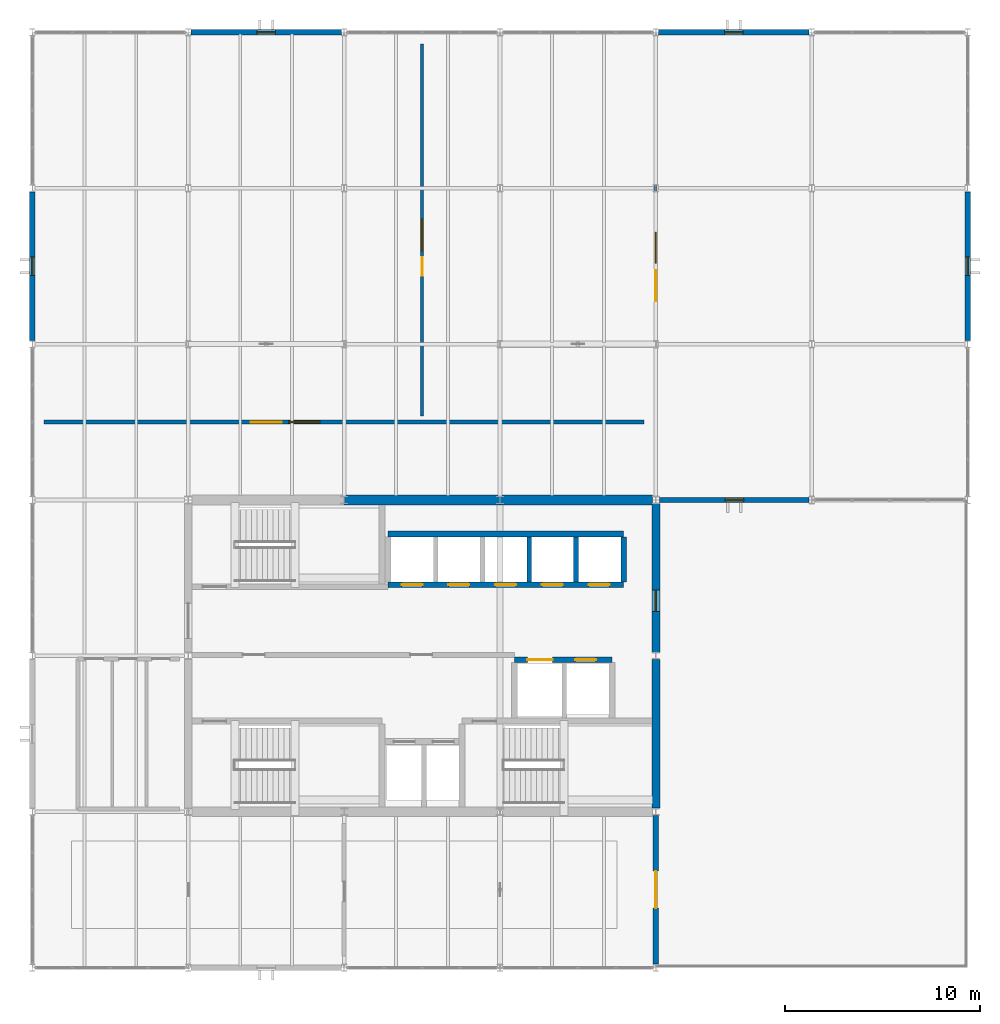
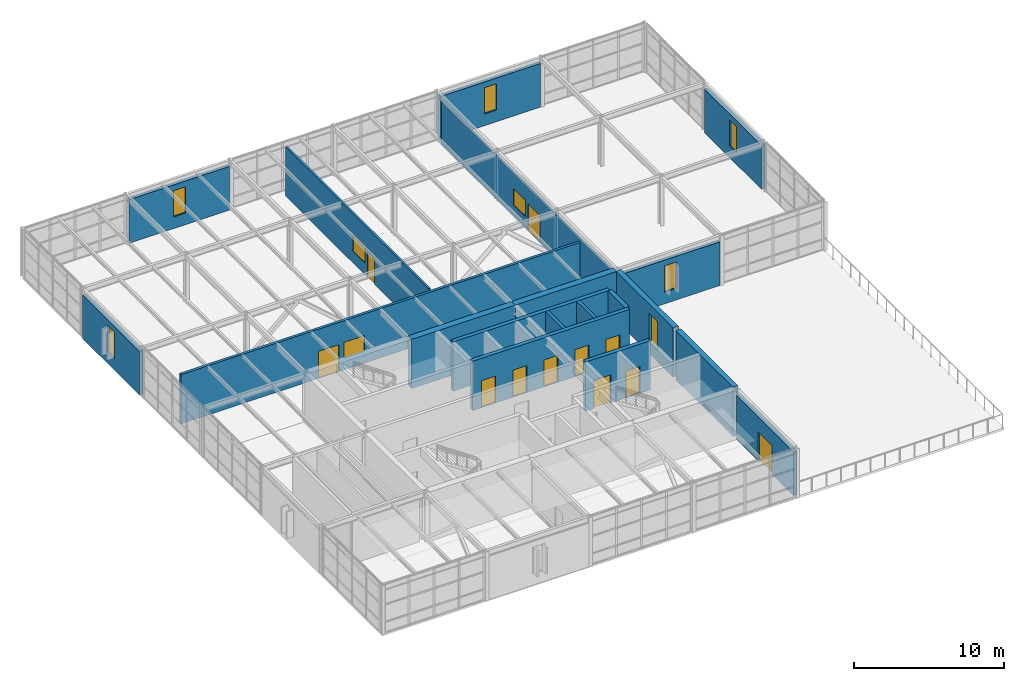
# One storey, part 18 of 21: 19 walls, 11 doors, 9 windows, 20 openings.
"""IFC4 building model written with IfcOpenShell, lengths in metres."""

from ifc_helpers import new_model, si_unit, direction, frame, frame_2d, origin, place, context, subcontext, project, spatial, rectangle, extrude, material, layer, layer_set, type_object, element, fill, save


model = new_model("IFC4")

# Units and contexts
model_context = context("Model", 3, precision=1e-05, world=origin(), true_north=direction((0.0, 1.0)))
body_context = subcontext(model_context, "Body", "Model", "MODEL_VIEW")
ifc_project = project(units=[si_unit("LENGTHUNIT", "METRE"), si_unit("AREAUNIT", "SQUARE_METRE"), si_unit("VOLUMEUNIT", "CUBIC_METRE"), si_unit("PLANEANGLEUNIT", "RADIAN"), si_unit("MASSUNIT", "GRAM", prefix="KILO")], contexts=[model_context])

# Site, building, storey
site_placement = place(None, origin())
site = spatial("IfcSite", under=ifc_project, at=site_placement, CompositionType="ELEMENT")
building_placement = place(site_placement, origin())
building = spatial("IfcBuilding", under=site, at=building_placement, Name="Varnela Railside Interchange", CompositionType="ELEMENT")
storey_placement = place(building_placement, frame((0.0, 0.0, 23.800048828125)))
storey = spatial("IfcBuildingStorey", under=building, at=storey_placement, Name="L05", CompositionType="ELEMENT", Elevation=23.800048828125)

# Wall, openings, door, window
ifc_material_1 = material(Name="Gypsum acoustic board")
ifc_layer_1 = layer(ifc_material_1, 0.14990234375)
ifc_layer_set_1 = layer_set([ifc_layer_1], Name="Gypsum acoustic board")
wall_type_1 = type_object("IfcWallType", Name="Acoustic Drywall Partition IW-01", PredefinedType="PARTITIONING", material=ifc_layer_set_1)
wall_1_placement = place(storey_placement, frame((24.0, 74.300048828125, 0.0), z_axis=(0.0, 0.0, 1.0), x_axis=(0.0, 1.0, 0.0)))
wall_1 = element("IfcWall", 1, at=wall_1_placement, inside=storey, type_object=wall_type_1, Name="Acoustic Drywall Partition IW-01 (L05) (WL-0969)", PredefinedType="PARTITIONING", context=body_context, shape_type="SweptSolid", body=[
    extrude(rectangle(XDim=19.099853515625, YDim=0.14990234375, at=frame_2d((9.5498046875, 0.0))), origin(), (0.0, 0.0, 1.0), 4.02001953125),
])
opening_1_placement = place(wall_1_placement, frame((7.199951171875, 0.0, 0.0)))
opening_1 = element("IfcOpeningElement", 2, at=opening_1_placement, cuts=wall_1, Name="Opening D-289", PredefinedType="OPENING", context=body_context, shape_type="SweptSolid", body=[
    extrude(rectangle(XDim=0.949951171875, YDim=2.10009765625, at=frame_2d((0.47509765625, 1.050048828125))), frame((0.0, 0.0849609375, 0.0), z_axis=(0.0, -1.0, 0.0), x_axis=(1.0, 0.0, 0.0)), (0.0, 0.0, 1.0), 0.169921875),
])
opening_2_placement = place(wall_1_placement, frame((8.5, 0.0, 0.949951171875)))
opening_2 = element("IfcOpeningElement", 3, at=opening_2_placement, cuts=wall_1, Name="Opening IW-022", PredefinedType="OPENING", context=body_context, shape_type="SweptSolid", body=[
    extrude(rectangle(XDim=1.60009765625, YDim=1.300048828125, at=frame_2d((0.800048828125, 0.64990234375))), frame((0.0, 0.0849609375, 0.0), z_axis=(0.0, -1.0, 0.0), x_axis=(1.0, 0.0, 0.0)), (0.0, 0.0, 1.0), 0.169921875),
])
ifc_material_2 = material(Name="Timber solid core", Category="wood")
door_type_1 = type_object("IfcDoorType", Name="DR-SGL-950-ACC", OperationType="NOTDEFINED", PredefinedType="DOOR", material=ifc_material_2)
door_1_placement = place(opening_1_placement, origin())
door_1 = element("IfcDoor", 4, at=door_1_placement, inside=storey, type_object=door_type_1, Name="Door D-289", OperationType="SINGLE_SWING_LEFT", OverallHeight=2.10009765625, OverallWidth=0.949951171875, PredefinedType="DOOR", context=body_context, shape_type="SweptSolid", body=[
    extrude(rectangle(XDim=0.949951171875, YDim=2.10009765625, at=frame_2d((0.47509765625, 1.050048828125))), frame((0.0, 0.02490234375, 0.0), z_axis=(0.0, -1.0, 0.0), x_axis=(1.0, 0.0, 0.0)), (0.0, 0.0, 1.0), 0.050048828125),
])
fill(opening_1, door_1)
ifc_material_3 = material(Name="Glass laminated double", Category="glass")
window_type_1 = type_object("IfcWindowType", Name="Interior Acoustic Vision Window IW-WN1", PartitioningType="SINGLE_PANEL", PredefinedType="WINDOW", material=ifc_material_3)
window_1_placement = place(opening_2_placement, origin())
window_1 = element("IfcWindow", 5, at=window_1_placement, inside=storey, type_object=window_type_1, Name="Window IW-022", OverallHeight=1.300048828125, OverallWidth=1.60009765625, PartitioningType="SINGLE_PANEL", PredefinedType="WINDOW", context=body_context, shape_type="SweptSolid", body=[
    extrude(rectangle(XDim=1.60009765625, YDim=1.300048828125, at=frame_2d((0.800048828125, 0.64990234375))), frame((0.0, 0.030029296875, 0.0), z_axis=(0.0, -1.0, 0.0), x_axis=(1.0, 0.0, 0.0)), (0.0, 0.0, 1.0), 0.06005859375),
])
fill(opening_2, window_1)

# Wall
ifc_material_4 = material(Name="Concrete C50", Category="concrete")
ifc_layer_2 = layer(ifc_material_4, 0.39990234375)
ifc_layer_set_2 = layer_set([ifc_layer_2], Name="Concrete C50")
wall_type_2 = type_object("IfcWallType", Name="Core Coupling Shear Wall SW-02", PredefinedType="SHEAR", material=ifc_layer_set_2)
wall_2_placement = place(storey_placement, frame((36.0, 54.179931640625, 0.0), z_axis=(0.0, 0.0, 1.0), x_axis=(0.0, 1.0, 0.0)))
element("IfcWall", 6, at=wall_2_placement, inside=storey, type_object=wall_type_2, Name="Core Coupling Shear Wall SW-02 (L05) (WL-0929)", PredefinedType="SHEAR", context=body_context, shape_type="SweptSolid", body=[
    extrude(rectangle(XDim=7.64013671875, YDim=0.39990234375, at=frame_2d((3.820068359375, 0.0))), origin(), (0.0, 0.0, 1.0), 4.02001953125),
])

# Wall, opening, window
wall_3_placement = place(storey_placement, frame((36.0, 62.179931640625, 0.0), z_axis=(0.0, 0.0, 1.0), x_axis=(0.0, 1.0, 0.0)))
wall_3 = element("IfcWall", 7, at=wall_3_placement, inside=storey, type_object=wall_type_2, Name="Core Coupling Shear Wall SW-02 (L05) (WL-0930)", PredefinedType="SHEAR", context=body_context, shape_type="SweptSolid", body=[
    extrude(rectangle(XDim=7.64013671875, YDim=0.39990234375, at=frame_2d((3.820068359375, 0.0))), origin(), (0.0, 0.0, 1.0), 4.02001953125),
])
opening_3_placement = place(wall_3_placement, frame((2.10009765625, 0.0, 0.949951171875)))
opening_3 = element("IfcOpeningElement", 8, at=opening_3_placement, cuts=wall_3, Name="Opening W-134", PredefinedType="OPENING", context=body_context, shape_type="SweptSolid", body=[
    extrude(rectangle(XDim=1.10009765625, YDim=2.300048828125, at=frame_2d((0.550048828125, 1.14990234375))), frame((0.0, 0.2099609375, 0.0), z_axis=(0.0, -1.0, 0.0), x_axis=(1.0, 0.0, 0.0)), (0.0, 0.0, 1.0), 0.419921875),
])
window_type_2 = type_object("IfcWindowType", Name="Core Stair Daylight Slot WN-25", PartitioningType="SINGLE_PANEL", PredefinedType="WINDOW", material=ifc_material_3)
window_2_placement = place(opening_3_placement, origin())
window_2 = element("IfcWindow", 9, at=window_2_placement, inside=storey, type_object=window_type_2, Name="Window W-134", OverallHeight=2.300048828125, OverallWidth=1.10009765625, PartitioningType="SINGLE_PANEL", PredefinedType="WINDOW", context=body_context, shape_type="SweptSolid", body=[
    extrude(rectangle(XDim=1.10009765625, YDim=2.300048828125, at=frame_2d((0.550048828125, 1.14990234375))), frame((0.0, 0.030029296875, 0.0), z_axis=(0.0, -1.0, 0.0), x_axis=(1.0, 0.0, 0.0)), (0.0, 0.0, 1.0), 0.06005859375),
])
fill(opening_3, window_2)

# Walls
ifc_layer_3 = layer(ifc_material_4, 0.5)
ifc_layer_set_3 = layer_set([ifc_layer_3], Name="Concrete C50")
wall_type_3 = type_object("IfcWallType", Name="Core Primary Shear Wall SW-01", PredefinedType="SHEAR", material=ifc_layer_set_3)
wall_4_placement = place(storey_placement, frame((20.0, 70.0, 0.0), z_axis=(0.0, 0.0, 1.0), x_axis=(1.0, 0.0, 0.0)))
element("IfcWall", 10, at=wall_4_placement, inside=storey, type_object=wall_type_3, Name="Core Primary Shear Wall SW-01 (L05) (WL-0947)", PredefinedType="SHEAR", context=body_context, shape_type="SweptSolid", body=[
    extrude(rectangle(XDim=8.0, YDim=0.5, at=frame_2d((4.0, 0.0))), origin(), (0.0, 0.0, 1.0), 4.02001953125),
])
wall_5_placement = place(storey_placement, frame((28.0, 70.0, 0.0), z_axis=(0.0, 0.0, 1.0), x_axis=(1.0, 0.0, 0.0)))
element("IfcWall", 11, at=wall_5_placement, inside=storey, type_object=wall_type_3, Name="Core Primary Shear Wall SW-01 (L05) (WL-0948)", PredefinedType="SHEAR", context=body_context, shape_type="SweptSolid", body=[
    extrude(rectangle(XDim=7.81494140625, YDim=0.5, at=frame_2d((3.907470703125, 0.0))), origin(), (0.0, 0.0, 1.0), 4.02001953125),
])

# Wall, openings, door, window
ifc_layer_4 = layer(ifc_material_1, 0.179931640625)
ifc_layer_set_4 = layer_set([ifc_layer_4], Name="Gypsum acoustic board")
wall_type_4 = type_object("IfcWallType", Name="Double-Stud Corridor Wall IW-02", PredefinedType="PARTITIONING", material=ifc_layer_set_4)
wall_6_placement = place(storey_placement, frame((4.60009765625, 74.0, 0.0), z_axis=(0.0, 0.0, 1.0), x_axis=(1.0, 0.0, 0.0)))
wall_6 = element("IfcWall", 12, at=wall_6_placement, inside=storey, type_object=wall_type_4, Name="Double-Stud Corridor Wall IW-02 (L05) (WL-0971)", PredefinedType="PARTITIONING", context=body_context, shape_type="SweptSolid", body=[
    extrude(rectangle(XDim=30.7998046875, YDim=0.199951171875, at=frame_2d((15.39990234375, 0.0))), origin(), (0.0, 0.0, 1.0), 4.02001953125),
])
opening_4_placement = place(wall_6_placement, frame((10.60009765625, 0.0, 0.0)))
opening_4 = element("IfcOpeningElement", 13, at=opening_4_placement, cuts=wall_6, Name="Opening D-288", PredefinedType="OPENING", context=body_context, shape_type="SweptSolid", body=[
    extrude(rectangle(XDim=1.60009765625, YDim=2.199951171875, at=frame_2d((0.800048828125, 1.10009765625))), frame((0.0, 0.10986328125, 0.0), z_axis=(0.0, -1.0, 0.0), x_axis=(1.0, 0.0, 0.0)), (0.0, 0.0, 1.0), 0.219970703125),
])
opening_5_placement = place(wall_6_placement, frame((12.550048828125, 0.0, 0.949951171875)))
opening_5 = element("IfcOpeningElement", 14, at=opening_5_placement, cuts=wall_6, Name="Opening IW-021", PredefinedType="OPENING", context=body_context, shape_type="SweptSolid", body=[
    extrude(rectangle(XDim=1.60009765625, YDim=1.300048828125, at=frame_2d((0.800048828125, 0.64990234375))), frame((0.0, 0.10986328125, 0.0), z_axis=(0.0, -1.0, 0.0), x_axis=(1.0, 0.0, 0.0)), (0.0, 0.0, 1.0), 0.219970703125),
])
door_type_2 = type_object("IfcDoorType", Name="DR-DBL-1600", OperationType="DOUBLE_DOOR_SINGLE_SWING", PredefinedType="DOOR", material=ifc_material_3)
door_2_placement = place(opening_4_placement, origin())
door_2 = element("IfcDoor", 15, at=door_2_placement, inside=storey, type_object=door_type_2, Name="Door D-288", OperationType="DOUBLE_DOOR_SINGLE_SWING", OverallHeight=2.199951171875, OverallWidth=1.60009765625, PredefinedType="DOOR", context=body_context, shape_type="SweptSolid", body=[
    extrude(rectangle(XDim=1.60009765625, YDim=2.199951171875, at=frame_2d((0.800048828125, 1.10009765625))), frame((0.0, 0.02490234375, 0.0), z_axis=(0.0, -1.0, 0.0), x_axis=(1.0, 0.0, 0.0)), (0.0, 0.0, 1.0), 0.050048828125),
])
fill(opening_4, door_2)
window_3_placement = place(opening_5_placement, origin())
window_3 = element("IfcWindow", 16, at=window_3_placement, inside=storey, type_object=window_type_1, Name="Window IW-021", OverallHeight=1.300048828125, OverallWidth=1.60009765625, PartitioningType="SINGLE_PANEL", PredefinedType="WINDOW", context=body_context, shape_type="SweptSolid", body=[
    extrude(rectangle(XDim=1.60009765625, YDim=1.300048828125, at=frame_2d((0.800048828125, 0.64990234375))), frame((0.0, 0.030029296875, 0.0), z_axis=(0.0, -1.0, 0.0), x_axis=(1.0, 0.0, 0.0)), (0.0, 0.0, 1.0), 0.06005859375),
])
fill(opening_5, window_3)

ifc_layer_5 = layer(ifc_material_3, 0.1201171875)
ifc_layer_set_5 = layer_set([ifc_layer_5], Name="Glass laminated double")
wall_type_5 = type_object("IfcWallType", Name="Glazed Operations Partition IW-03", PredefinedType="PARTITIONING", material=ifc_layer_set_5)
wall_7_placement = place(storey_placement, frame((36.0, 70.60009765625, 0.0), z_axis=(0.0, 0.0, 1.0), x_axis=(0.0, 1.0, 0.0)))
wall_7 = element("IfcWall", 17, at=wall_7_placement, inside=storey, type_object=wall_type_5, Name="Glazed Operations Partition IW-03 (L05) (WL-0968)", PredefinedType="PARTITIONING", context=body_context, shape_type="SweptSolid", body=[
    extrude(rectangle(XDim=22.7998046875, YDim=0.1201171875, at=frame_2d((11.39990234375, 0.0))), origin(), (0.0, 0.0, 1.0), 3.56005859375),
])
opening_6_placement = place(wall_7_placement, frame((9.60009765625, 0.0, 0.0)))
opening_6 = element("IfcOpeningElement", 18, at=opening_6_placement, cuts=wall_7, Name="Opening D-290", PredefinedType="OPENING", context=body_context, shape_type="SweptSolid", body=[
    extrude(rectangle(XDim=1.60009765625, YDim=2.199951171875, at=frame_2d((0.800048828125, 1.10009765625))), frame((0.0, 0.070068359375, 0.0), z_axis=(0.0, -1.0, 0.0), x_axis=(1.0, 0.0, 0.0)), (0.0, 0.0, 1.0), 0.14013671875),
])
opening_7_placement = place(wall_7_placement, frame((11.550048828125, 0.0, 0.949951171875)))
opening_7 = element("IfcOpeningElement", 19, at=opening_7_placement, cuts=wall_7, Name="Opening IW-023", PredefinedType="OPENING", context=body_context, shape_type="SweptSolid", body=[
    extrude(rectangle(XDim=1.60009765625, YDim=1.300048828125, at=frame_2d((0.800048828125, 0.64990234375))), frame((0.0, 0.070068359375, 0.0), z_axis=(0.0, -1.0, 0.0), x_axis=(1.0, 0.0, 0.0)), (0.0, 0.0, 1.0), 0.14013671875),
])
door_3_placement = place(opening_6_placement, origin())
door_3 = element("IfcDoor", 20, at=door_3_placement, inside=storey, type_object=door_type_2, Name="Door D-290", OperationType="DOUBLE_DOOR_SINGLE_SWING", OverallHeight=2.199951171875, OverallWidth=1.60009765625, PredefinedType="DOOR", context=body_context, shape_type="SweptSolid", body=[
    extrude(rectangle(XDim=1.60009765625, YDim=2.199951171875, at=frame_2d((0.800048828125, 1.10009765625))), frame((0.0, 0.02490234375, 0.0), z_axis=(0.0, -1.0, 0.0), x_axis=(1.0, 0.0, 0.0)), (0.0, 0.0, 1.0), 0.050048828125),
])
fill(opening_6, door_3)
window_4_placement = place(opening_7_placement, origin())
window_4 = element("IfcWindow", 21, at=window_4_placement, inside=storey, type_object=window_type_1, Name="Window IW-023", OverallHeight=1.300048828125, OverallWidth=1.60009765625, PartitioningType="SINGLE_PANEL", PredefinedType="WINDOW", context=body_context, shape_type="SweptSolid", body=[
    extrude(rectangle(XDim=1.60009765625, YDim=1.300048828125, at=frame_2d((0.800048828125, 0.64990234375))), frame((0.0, 0.030029296875, 0.0), z_axis=(0.0, -1.0, 0.0), x_axis=(1.0, 0.0, 0.0)), (0.0, 0.0, 1.0), 0.06005859375),
])
fill(opening_7, window_4)

# Wall, opening, window
ifc_material_5 = material(Name="Concrete C40 precast", Category="concrete")
ifc_layer_6 = layer(ifc_material_5, 0.280029296875)
ifc_layer_set_6 = layer_set([ifc_layer_6], Name="Concrete C40 precast")
wall_type_6 = type_object("IfcWallType", Name="Ribbed Precast Concrete Facade Wall EW-02", PredefinedType="STANDARD", material=ifc_layer_set_6)
wall_8_placement = place(storey_placement, frame((4.0, 78.181396484375, 0.0), z_axis=(0.0, 0.0, 1.0), x_axis=(0.0, 1.0, 0.0)))
wall_8 = element("IfcWall", 22, at=wall_8_placement, inside=storey, type_object=wall_type_6, Name="Ribbed Precast Concrete Facade Wall EW-02 (L05) (WL-0967)", PredefinedType="STANDARD", context=body_context, shape_type="SweptSolid", body=[
    extrude(rectangle(XDim=7.63720703125, YDim=0.280029296875, at=frame_2d((3.818603515625, 0.0))), origin(), (0.0, 0.0, 1.0), 3.56005859375),
])
opening_8_placement = place(wall_8_placement, frame((3.343505859375, 0.0, 0.949951171875)))
opening_8 = element("IfcOpeningElement", 23, at=opening_8_placement, cuts=wall_8, Name="Opening W-137", PredefinedType="OPENING", context=body_context, shape_type="SweptSolid", body=[
    extrude(rectangle(XDim=0.949951171875, YDim=2.14990234375, at=frame_2d((0.47509765625, 1.074951171875))), frame((0.0, 0.14990234375, 0.0), z_axis=(0.0, -1.0, 0.0), x_axis=(1.0, 0.0, 0.0)), (0.0, 0.0, 1.0), 0.300048828125),
])
window_type_3 = type_object("IfcWindowType", Name="Signalling Narrow Slot WN-13", PartitioningType="SINGLE_PANEL", PredefinedType="WINDOW", material=ifc_material_3)
window_5_placement = place(opening_8_placement, origin())
window_5 = element("IfcWindow", 24, at=window_5_placement, inside=storey, type_object=window_type_3, Name="Window W-137", OverallHeight=2.14990234375, OverallWidth=0.949951171875, PartitioningType="SINGLE_PANEL", PredefinedType="WINDOW", context=body_context, shape_type="SweptSolid", body=[
    extrude(rectangle(XDim=0.949951171875, YDim=2.14990234375, at=frame_2d((0.47509765625, 1.074951171875))), frame((0.0, 0.030029296875, 0.0), z_axis=(0.0, -1.0, 0.0), x_axis=(1.0, 0.0, 0.0)), (0.0, 0.0, 1.0), 0.06005859375),
])
fill(opening_8, window_5)

wall_9_placement = place(storey_placement, frame((12.12841796875, 94.0, 0.0), z_axis=(0.0, 0.0, 1.0), x_axis=(1.0, 0.0, 0.0)))
wall_9 = element("IfcWall", 25, at=wall_9_placement, inside=storey, type_object=wall_type_6, Name="Ribbed Precast Concrete Facade Wall EW-02 (L05) (WL-0960)", PredefinedType="STANDARD", context=body_context, shape_type="SweptSolid", body=[
    extrude(rectangle(XDim=7.7431640625, YDim=0.280029296875, at=frame_2d((3.87158203125, 0.0))), origin(), (0.0, 0.0, 1.0), 3.56005859375),
])
opening_9_placement = place(wall_9_placement, frame((3.396484375, 0.0, 0.949951171875)))
opening_9 = element("IfcOpeningElement", 26, at=opening_9_placement, cuts=wall_9, Name="Opening W-138", PredefinedType="OPENING", context=body_context, shape_type="SweptSolid", body=[
    extrude(rectangle(XDim=0.949951171875, YDim=2.14990234375, at=frame_2d((0.47509765625, 1.074951171875))), frame((0.0, 0.14990234375, 0.0), z_axis=(0.0, -1.0, 0.0), x_axis=(1.0, 0.0, 0.0)), (0.0, 0.0, 1.0), 0.300048828125),
])
window_6_placement = place(opening_9_placement, origin())
window_6 = element("IfcWindow", 27, at=window_6_placement, inside=storey, type_object=window_type_3, Name="Window W-138", OverallHeight=2.14990234375, OverallWidth=0.949951171875, PartitioningType="SINGLE_PANEL", PredefinedType="WINDOW", context=body_context, shape_type="SweptSolid", body=[
    extrude(rectangle(XDim=0.949951171875, YDim=2.14990234375, at=frame_2d((0.47509765625, 1.074951171875))), frame((0.0, 0.030029296875, 0.0), z_axis=(0.0, -1.0, 0.0), x_axis=(1.0, 0.0, 0.0)), (0.0, 0.0, 1.0), 0.06005859375),
])
fill(opening_9, window_6)

wall_10_placement = place(storey_placement, frame((36.12841796875, 94.0, 0.0), z_axis=(0.0, 0.0, 1.0), x_axis=(1.0, 0.0, 0.0)))
wall_10 = element("IfcWall", 28, at=wall_10_placement, inside=storey, type_object=wall_type_6, Name="Ribbed Precast Concrete Facade Wall EW-02 (L05) (WL-0961)", PredefinedType="STANDARD", context=body_context, shape_type="SweptSolid", body=[
    extrude(rectangle(XDim=7.7431640625, YDim=0.280029296875, at=frame_2d((3.87158203125, 0.0))), origin(), (0.0, 0.0, 1.0), 3.56005859375),
])
opening_10_placement = place(wall_10_placement, frame((3.396484375, 0.0, 0.949951171875)))
opening_10 = element("IfcOpeningElement", 29, at=opening_10_placement, cuts=wall_10, Name="Opening W-139", PredefinedType="OPENING", context=body_context, shape_type="SweptSolid", body=[
    extrude(rectangle(XDim=0.949951171875, YDim=2.14990234375, at=frame_2d((0.47509765625, 1.074951171875))), frame((0.0, 0.14990234375, 0.0), z_axis=(0.0, -1.0, 0.0), x_axis=(1.0, 0.0, 0.0)), (0.0, 0.0, 1.0), 0.300048828125),
])
window_7_placement = place(opening_10_placement, origin())
window_7 = element("IfcWindow", 30, at=window_7_placement, inside=storey, type_object=window_type_3, Name="Window W-139", OverallHeight=2.14990234375, OverallWidth=0.949951171875, PartitioningType="SINGLE_PANEL", PredefinedType="WINDOW", context=body_context, shape_type="SweptSolid", body=[
    extrude(rectangle(XDim=0.949951171875, YDim=2.14990234375, at=frame_2d((0.47509765625, 1.074951171875))), frame((0.0, 0.030029296875, 0.0), z_axis=(0.0, -1.0, 0.0), x_axis=(1.0, 0.0, 0.0)), (0.0, 0.0, 1.0), 0.06005859375),
])
fill(opening_10, window_7)

wall_11_placement = place(storey_placement, frame((52.0, 85.818603515625, 0.0), z_axis=(0.0, 0.0, 1.0), x_axis=(0.0, -1.0, 0.0)))
wall_11 = element("IfcWall", 31, at=wall_11_placement, inside=storey, type_object=wall_type_6, Name="Ribbed Precast Concrete Facade Wall EW-02 (L05) (WL-0962)", PredefinedType="STANDARD", context=body_context, shape_type="SweptSolid", body=[
    extrude(rectangle(XDim=7.63720703125, YDim=0.280029296875, at=frame_2d((3.818603515625, 0.0))), origin(), (0.0, 0.0, 1.0), 3.56005859375),
])
opening_11_placement = place(wall_11_placement, frame((3.343505859375, 0.0, 0.949951171875)))
opening_11 = element("IfcOpeningElement", 32, at=opening_11_placement, cuts=wall_11, Name="Opening W-140", PredefinedType="OPENING", context=body_context, shape_type="SweptSolid", body=[
    extrude(rectangle(XDim=0.949951171875, YDim=2.14990234375, at=frame_2d((0.47509765625, 1.074951171875))), frame((0.0, 0.14990234375, 0.0), z_axis=(0.0, -1.0, 0.0), x_axis=(1.0, 0.0, 0.0)), (0.0, 0.0, 1.0), 0.300048828125),
])
window_8_placement = place(opening_11_placement, origin())
window_8 = element("IfcWindow", 33, at=window_8_placement, inside=storey, type_object=window_type_3, Name="Window W-140", OverallHeight=2.14990234375, OverallWidth=0.949951171875, PartitioningType="SINGLE_PANEL", PredefinedType="WINDOW", context=body_context, shape_type="SweptSolid", body=[
    extrude(rectangle(XDim=0.949951171875, YDim=2.14990234375, at=frame_2d((0.47509765625, 1.074951171875))), frame((0.0, 0.030029296875, 0.0), z_axis=(0.0, -1.0, 0.0), x_axis=(1.0, 0.0, 0.0)), (0.0, 0.0, 1.0), 0.06005859375),
])
fill(opening_11, window_8)

wall_12_placement = place(storey_placement, frame((43.87158203125, 70.0, 0.0), z_axis=(0.0, 0.0, 1.0), x_axis=(-1.0, 0.0, 0.0)))
wall_12 = element("IfcWall", 34, at=wall_12_placement, inside=storey, type_object=wall_type_6, Name="Ribbed Precast Concrete Facade Wall EW-02 (L05) (WL-0963)", PredefinedType="STANDARD", context=body_context, shape_type="SweptSolid", body=[
    extrude(rectangle(XDim=7.6865234375, YDim=0.280029296875, at=frame_2d((3.84326171875, 0.0))), origin(), (0.0, 0.0, 1.0), 3.56005859375),
])
opening_12_placement = place(wall_12_placement, frame((3.3681640625, 0.0, 0.949951171875)))
opening_12 = element("IfcOpeningElement", 35, at=opening_12_placement, cuts=wall_12, Name="Opening W-141", PredefinedType="OPENING", context=body_context, shape_type="SweptSolid", body=[
    extrude(rectangle(XDim=0.949951171875, YDim=2.14990234375, at=frame_2d((0.47509765625, 1.074951171875))), frame((0.0, 0.14990234375, 0.0), z_axis=(0.0, -1.0, 0.0), x_axis=(1.0, 0.0, 0.0)), (0.0, 0.0, 1.0), 0.300048828125),
])
window_9_placement = place(opening_12_placement, origin())
window_9 = element("IfcWindow", 36, at=window_9_placement, inside=storey, type_object=window_type_3, Name="Window W-141", OverallHeight=2.14990234375, OverallWidth=0.949951171875, PartitioningType="SINGLE_PANEL", PredefinedType="WINDOW", context=body_context, shape_type="SweptSolid", body=[
    extrude(rectangle(XDim=0.949951171875, YDim=2.14990234375, at=frame_2d((0.47509765625, 1.074951171875))), frame((0.0, 0.030029296875, 0.0), z_axis=(0.0, -1.0, 0.0), x_axis=(1.0, 0.0, 0.0)), (0.0, 0.0, 1.0), 0.06005859375),
])
fill(opening_12, window_9)

# Wall, opening, door
wall_13_placement = place(storey_placement, frame((36.0, 53.820068359375, 0.0), z_axis=(0.0, 0.0, 1.0), x_axis=(0.0, -1.0, 0.0)))
wall_13 = element("IfcWall", 37, at=wall_13_placement, inside=storey, type_object=wall_type_6, Name="Ribbed Precast Concrete Facade Wall EW-02 (L05) (WL-0964)", PredefinedType="STANDARD", context=body_context, shape_type="SweptSolid", body=[
    extrude(rectangle(XDim=7.638671875, YDim=0.280029296875, at=frame_2d((3.8193359375, 0.0))), origin(), (0.0, 0.0, 1.0), 3.56005859375),
])
opening_13_placement = place(wall_13_placement, frame((2.869384765625, 0.0, 0.0)))
opening_13 = element("IfcOpeningElement", 38, at=opening_13_placement, cuts=wall_13, Name="Opening D-027", PredefinedType="OPENING", context=body_context, shape_type="SweptSolid", body=[
    extrude(rectangle(XDim=1.89990234375, YDim=2.35009765625, at=frame_2d((0.949951171875, 1.175048828125))), frame((0.0, 0.14990234375, 0.0), z_axis=(0.0, -1.0, 0.0), x_axis=(1.0, 0.0, 0.0)), (0.0, 0.0, 1.0), 0.300048828125),
])
ifc_material_6 = material(Name="Aluminium 6063-T6", Category="aluminium")
door_type_3 = type_object("IfcDoorType", Name="Terrace Glazed Double Door TD-01", OperationType="DOUBLE_DOOR_SINGLE_SWING", PredefinedType="DOOR", material=ifc_material_6)
door_4_placement = place(opening_13_placement, origin())
door_4 = element("IfcDoor", 39, at=door_4_placement, inside=storey, type_object=door_type_3, Name="Door D-027", OperationType="DOUBLE_DOOR_SINGLE_SWING", OverallHeight=2.35009765625, OverallWidth=1.89990234375, PredefinedType="DOOR", context=body_context, shape_type="SweptSolid", body=[
    extrude(rectangle(XDim=1.89990234375, YDim=2.35009765625, at=frame_2d((0.949951171875, 1.175048828125))), frame((0.0, 0.02490234375, 0.0), z_axis=(0.0, -1.0, 0.0), x_axis=(1.0, 0.0, 0.0)), (0.0, 0.0, 1.0), 0.050048828125),
])
fill(opening_13, door_4)

# Wall, openings, doors
ifc_layer_7 = layer(ifc_material_4, 0.300048828125)
ifc_layer_set_7 = layer_set([ifc_layer_7], Name="Concrete C50")
wall_type_7 = type_object("IfcWallType", Name="Stair & Lift Shaft Wall SW-03", PredefinedType="SHEAR", material=ifc_layer_set_7)
wall_14_placement = place(storey_placement, frame((28.75, 61.800048828125, 0.0), z_axis=(0.0, 0.0, 1.0), x_axis=(1.0, 0.0, 0.0)))
wall_14 = element("IfcWall", 40, at=wall_14_placement, inside=storey, type_object=wall_type_7, Name="Stair & Lift Shaft Wall SW-03 (L05) (WL-0936)", PredefinedType="SHEAR", context=body_context, shape_type="SweptSolid", body=[
    extrude(rectangle(XDim=5.0, YDim=0.300048828125, at=frame_2d((2.5, 0.0))), origin(), (0.0, 0.0, 1.0), 4.02001953125),
])
opening_14_placement = place(wall_14_placement, frame((0.64990234375, 0.0, 0.0)))
opening_14 = element("IfcOpeningElement", 41, at=opening_14_placement, cuts=wall_14, Name="Opening LD-077", PredefinedType="OPENING", context=body_context, shape_type="SweptSolid", body=[
    extrude(rectangle(XDim=1.300048828125, YDim=2.300048828125, at=frame_2d((0.64990234375, 1.14990234375))), frame((0.0, 0.159912109375, 0.0), z_axis=(0.0, -1.0, 0.0), x_axis=(1.0, 0.0, 0.0)), (0.0, 0.0, 1.0), 0.320068359375),
])
opening_15_placement = place(wall_14_placement, frame((3.10009765625, 0.0, 0.0)))
opening_15 = element("IfcOpeningElement", 42, at=opening_15_placement, cuts=wall_14, Name="Opening LD-078", PredefinedType="OPENING", context=body_context, shape_type="SweptSolid", body=[
    extrude(rectangle(XDim=1.080078125, YDim=2.199951171875, at=frame_2d((0.5400390625, 1.10009765625))), frame((0.0, 0.159912109375, 0.0), z_axis=(0.0, -1.0, 0.0), x_axis=(1.0, 0.0, 0.0)), (0.0, 0.0, 1.0), 0.320068359375),
])
ifc_material_7 = material(Name="Steel AR 350 (350 MPa)", Category="steel")
door_type_4 = type_object("IfcDoorType", Name="DR-LIFT-1080", OperationType="SLIDING_TO_LEFT", PredefinedType="DOOR", material=ifc_material_7)
door_5_placement = place(opening_15_placement, origin())
door_5 = element("IfcDoor", 43, at=door_5_placement, inside=storey, type_object=door_type_4, Name="Door LD-078", OperationType="SLIDING_TO_LEFT", OverallHeight=2.199951171875, OverallWidth=1.080078125, PredefinedType="DOOR", context=body_context, shape_type="SweptSolid", body=[
    extrude(rectangle(XDim=1.080078125, YDim=2.199951171875, at=frame_2d((0.5400390625, 1.10009765625))), frame((0.0, 0.02490234375, 0.0), z_axis=(0.0, -1.0, 0.0), x_axis=(1.0, 0.0, 0.0)), (0.0, 0.0, 1.0), 0.050048828125),
])
fill(opening_15, door_5)
door_type_5 = type_object("IfcDoorType", Name="DR-LIFT-1300", OperationType="SLIDING_TO_LEFT", PredefinedType="DOOR", material=ifc_material_7)
door_6_placement = place(opening_14_placement, origin())
door_6 = element("IfcDoor", 44, at=door_6_placement, inside=storey, type_object=door_type_5, Name="Door LD-077", OperationType="SLIDING_TO_LEFT", OverallHeight=2.300048828125, OverallWidth=1.300048828125, PredefinedType="DOOR", context=body_context, shape_type="SweptSolid", body=[
    extrude(rectangle(XDim=1.300048828125, YDim=2.300048828125, at=frame_2d((0.64990234375, 1.14990234375))), frame((0.0, 0.02490234375, 0.0), z_axis=(0.0, -1.0, 0.0), x_axis=(1.0, 0.0, 0.0)), (0.0, 0.0, 1.0), 0.050048828125),
])
fill(opening_14, door_6)

wall_15_placement = place(storey_placement, frame((22.25, 65.64990234375, 0.0), z_axis=(0.0, 0.0, 1.0), x_axis=(1.0, 0.0, 0.0)))
wall_15 = element("IfcWall", 45, at=wall_15_placement, inside=storey, type_object=wall_type_7, Name="Stair & Lift Shaft Wall SW-03 (L05) (WL-0944)", PredefinedType="SHEAR", context=body_context, shape_type="SweptSolid", body=[
    extrude(rectangle(XDim=12.10009765625, YDim=0.300048828125, at=frame_2d((6.050048828125, 0.0))), origin(), (0.0, 0.0, 1.0), 4.02001953125),
])
opening_16_placement = place(wall_15_placement, frame((0.699951171875, 0.0, 0.0)))
opening_16 = element("IfcOpeningElement", 46, at=opening_16_placement, cuts=wall_15, Name="Opening LD-079", PredefinedType="OPENING", context=body_context, shape_type="SweptSolid", body=[
    extrude(rectangle(XDim=1.080078125, YDim=2.199951171875, at=frame_2d((0.5400390625, 1.10009765625))), frame((0.0, 0.159912109375, 0.0), z_axis=(0.0, -1.0, 0.0), x_axis=(1.0, 0.0, 0.0)), (0.0, 0.0, 1.0), 0.320068359375),
])
opening_17_placement = place(wall_15_placement, frame((3.10009765625, 0.0, 0.0)))
opening_17 = element("IfcOpeningElement", 47, at=opening_17_placement, cuts=wall_15, Name="Opening LD-080", PredefinedType="OPENING", context=body_context, shape_type="SweptSolid", body=[
    extrude(rectangle(XDim=1.080078125, YDim=2.199951171875, at=frame_2d((0.5400390625, 1.10009765625))), frame((0.0, 0.159912109375, 0.0), z_axis=(0.0, -1.0, 0.0), x_axis=(1.0, 0.0, 0.0)), (0.0, 0.0, 1.0), 0.320068359375),
])
opening_18_placement = place(wall_15_placement, frame((5.5, 0.0, 0.0)))
opening_18 = element("IfcOpeningElement", 48, at=opening_18_placement, cuts=wall_15, Name="Opening LD-081", PredefinedType="OPENING", context=body_context, shape_type="SweptSolid", body=[
    extrude(rectangle(XDim=1.080078125, YDim=2.199951171875, at=frame_2d((0.5400390625, 1.10009765625))), frame((0.0, 0.159912109375, 0.0), z_axis=(0.0, -1.0, 0.0), x_axis=(1.0, 0.0, 0.0)), (0.0, 0.0, 1.0), 0.320068359375),
])
opening_19_placement = place(wall_15_placement, frame((7.89990234375, 0.0, 0.0)))
opening_19 = element("IfcOpeningElement", 49, at=opening_19_placement, cuts=wall_15, Name="Opening LD-082", PredefinedType="OPENING", context=body_context, shape_type="SweptSolid", body=[
    extrude(rectangle(XDim=1.080078125, YDim=2.199951171875, at=frame_2d((0.5400390625, 1.10009765625))), frame((0.0, 0.159912109375, 0.0), z_axis=(0.0, -1.0, 0.0), x_axis=(1.0, 0.0, 0.0)), (0.0, 0.0, 1.0), 0.320068359375),
])
opening_20_placement = place(wall_15_placement, frame((10.300048828125, 0.0, 0.0)))
opening_20 = element("IfcOpeningElement", 50, at=opening_20_placement, cuts=wall_15, Name="Opening LD-083", PredefinedType="OPENING", context=body_context, shape_type="SweptSolid", body=[
    extrude(rectangle(XDim=1.080078125, YDim=2.199951171875, at=frame_2d((0.5400390625, 1.10009765625))), frame((0.0, 0.159912109375, 0.0), z_axis=(0.0, -1.0, 0.0), x_axis=(1.0, 0.0, 0.0)), (0.0, 0.0, 1.0), 0.320068359375),
])
door_7_placement = place(opening_16_placement, origin())
door_7 = element("IfcDoor", 51, at=door_7_placement, inside=storey, type_object=door_type_4, Name="Door LD-079", OperationType="SLIDING_TO_LEFT", OverallHeight=2.199951171875, OverallWidth=1.080078125, PredefinedType="DOOR", context=body_context, shape_type="SweptSolid", body=[
    extrude(rectangle(XDim=1.080078125, YDim=2.199951171875, at=frame_2d((0.5400390625, 1.10009765625))), frame((0.0, 0.02490234375, 0.0), z_axis=(0.0, -1.0, 0.0), x_axis=(1.0, 0.0, 0.0)), (0.0, 0.0, 1.0), 0.050048828125),
])
fill(opening_16, door_7)
door_8_placement = place(opening_17_placement, origin())
door_8 = element("IfcDoor", 52, at=door_8_placement, inside=storey, type_object=door_type_4, Name="Door LD-080", OperationType="SLIDING_TO_LEFT", OverallHeight=2.199951171875, OverallWidth=1.080078125, PredefinedType="DOOR", context=body_context, shape_type="SweptSolid", body=[
    extrude(rectangle(XDim=1.080078125, YDim=2.199951171875, at=frame_2d((0.5400390625, 1.10009765625))), frame((0.0, 0.02490234375, 0.0), z_axis=(0.0, -1.0, 0.0), x_axis=(1.0, 0.0, 0.0)), (0.0, 0.0, 1.0), 0.050048828125),
])
fill(opening_17, door_8)
door_9_placement = place(opening_18_placement, origin())
door_9 = element("IfcDoor", 53, at=door_9_placement, inside=storey, type_object=door_type_4, Name="Door LD-081", OperationType="SLIDING_TO_LEFT", OverallHeight=2.199951171875, OverallWidth=1.080078125, PredefinedType="DOOR", context=body_context, shape_type="SweptSolid", body=[
    extrude(rectangle(XDim=1.080078125, YDim=2.199951171875, at=frame_2d((0.5400390625, 1.10009765625))), frame((0.0, 0.02490234375, 0.0), z_axis=(0.0, -1.0, 0.0), x_axis=(1.0, 0.0, 0.0)), (0.0, 0.0, 1.0), 0.050048828125),
])
fill(opening_18, door_9)
door_10_placement = place(opening_19_placement, origin())
door_10 = element("IfcDoor", 54, at=door_10_placement, inside=storey, type_object=door_type_4, Name="Door LD-082", OperationType="SLIDING_TO_LEFT", OverallHeight=2.199951171875, OverallWidth=1.080078125, PredefinedType="DOOR", context=body_context, shape_type="SweptSolid", body=[
    extrude(rectangle(XDim=1.080078125, YDim=2.199951171875, at=frame_2d((0.5400390625, 1.10009765625))), frame((0.0, 0.02490234375, 0.0), z_axis=(0.0, -1.0, 0.0), x_axis=(1.0, 0.0, 0.0)), (0.0, 0.0, 1.0), 0.050048828125),
])
fill(opening_19, door_10)
door_11_placement = place(opening_20_placement, origin())
door_11 = element("IfcDoor", 55, at=door_11_placement, inside=storey, type_object=door_type_4, Name="Door LD-083", OperationType="SLIDING_TO_LEFT", OverallHeight=2.199951171875, OverallWidth=1.080078125, PredefinedType="DOOR", context=body_context, shape_type="SweptSolid", body=[
    extrude(rectangle(XDim=1.080078125, YDim=2.199951171875, at=frame_2d((0.5400390625, 1.10009765625))), frame((0.0, 0.02490234375, 0.0), z_axis=(0.0, -1.0, 0.0), x_axis=(1.0, 0.0, 0.0)), (0.0, 0.0, 1.0), 0.050048828125),
])
fill(opening_20, door_11)

# Walls
wall_16_placement = place(storey_placement, frame((22.25, 68.25, 0.0), z_axis=(0.0, 0.0, 1.0), x_axis=(1.0, 0.0, 0.0)))
element("IfcWall", 56, at=wall_16_placement, inside=storey, type_object=wall_type_7, Name="Stair & Lift Shaft Wall SW-03 (L05) (WL-0943)", PredefinedType="SHEAR", context=body_context, shape_type="SweptSolid", body=[
    extrude(rectangle(XDim=12.10009765625, YDim=0.300048828125, at=frame_2d((6.050048828125, 0.0))), origin(), (0.0, 0.0, 1.0), 4.02001953125),
])
wall_17_placement = place(storey_placement, frame((34.35009765625, 65.800048828125, 0.0), z_axis=(0.0, 0.0, 1.0), x_axis=(0.0, 1.0, 0.0)))
element("IfcWall", 57, at=wall_17_placement, inside=storey, type_object=wall_type_7, Name="Stair & Lift Shaft Wall SW-03 (L05) (WL-0942)", PredefinedType="SHEAR", context=body_context, shape_type="SweptSolid", body=[
    extrude(rectangle(XDim=2.300048828125, YDim=0.300048828125, at=frame_2d((1.14990234375, 0.0))), origin(), (0.0, 0.0, 1.0), 4.02001953125),
])
for number, where, z_axis, x_axis, name in (
    (58, (29.5, 65.800048828125, 0.0), (0.0, 0.0, 1.0), (0.0, 1.0, 0.0), "Stair & Lift Shaft Wall SW-03 (L05) (WL-0940)"),
    (59, (31.89990234375, 65.800048828125, 0.0), (0.0, 0.0, 1.0), (0.0, 1.0, 0.0), "Stair & Lift Shaft Wall SW-03 (L05) (WL-0941)"),
):
    element("IfcWall", number, at=place(storey_placement, frame(where, z_axis=z_axis, x_axis=x_axis)), inside=storey, type_object=wall_type_7, Name=name, PredefinedType="SHEAR", context=body_context, shape_type="SweptSolid", body=[
        extrude(rectangle(XDim=2.300048828125, YDim=0.25, at=frame_2d((1.14990234375, 0.0))), origin(), (0.0, 0.0, 1.0), 4.02001953125),
    ])

save(model, "model.ifc")
